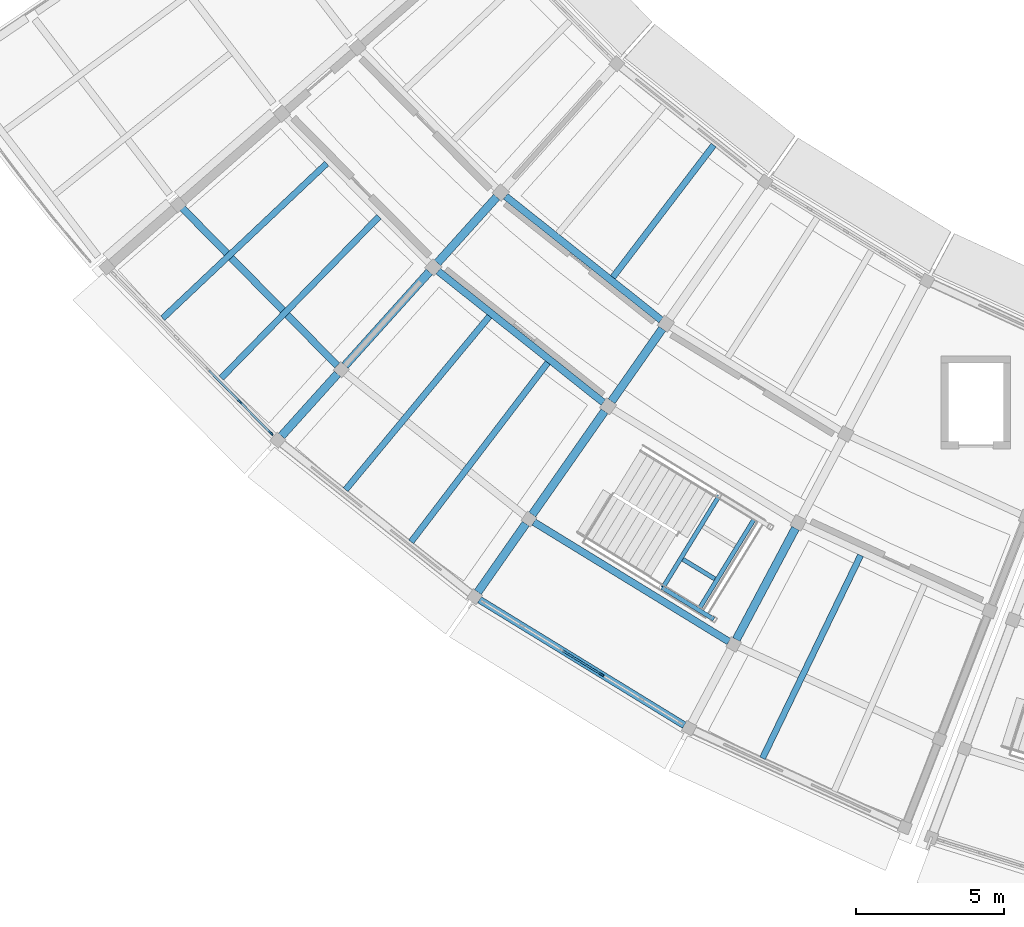
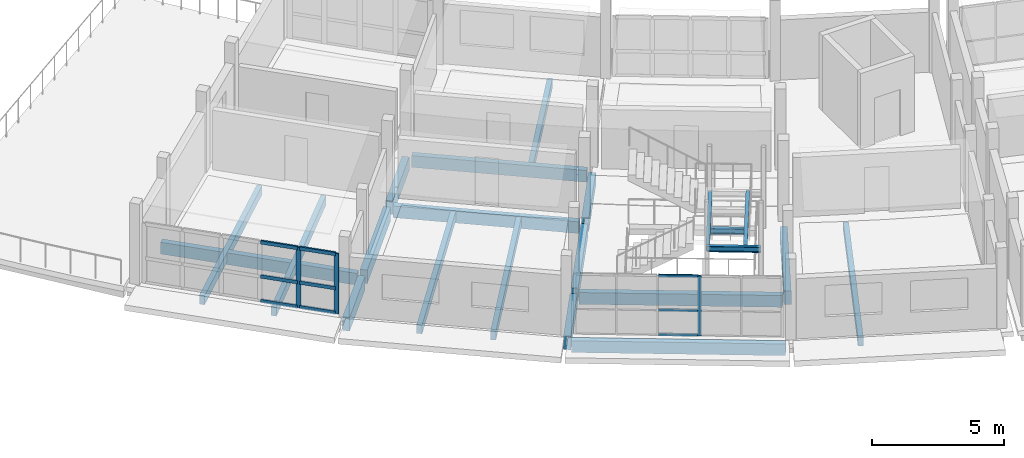
# One storey, part 18 of 66: 22 beams, 12 members, 2 elements without a shape of their own.
"""IFC4 building model written with IfcOpenShell, lengths in metres."""

from ifc_helpers import new_model, si_unit, direction, frame, origin, origin_2d, place, context, subcontext, project, spatial, rectangle, i_section, extrude, material, layer, layer_set, material_profile, profile_set, type_object, element, aggregate, save


model = new_model("IFC4")

# Units and contexts
model_context = context("Model", 3, precision=1e-05, world=origin(), true_north=direction((0.0, 1.0)))
body_context = subcontext(model_context, "Body", "Model", "MODEL_VIEW")
ifc_project = project(units=[si_unit("LENGTHUNIT", "METRE"), si_unit("AREAUNIT", "SQUARE_METRE"), si_unit("VOLUMEUNIT", "CUBIC_METRE"), si_unit("PLANEANGLEUNIT", "RADIAN"), si_unit("MASSUNIT", "GRAM", prefix="KILO")], contexts=[model_context])

# Site, building, storey
site_placement = place(None, origin())
site = spatial("IfcSite", under=ifc_project, at=site_placement, CompositionType="ELEMENT")
building_placement = place(site_placement, origin())
building = spatial("IfcBuilding", under=site, at=building_placement, Name="Caldaven Crescent School", CompositionType="ELEMENT")
storey_placement = place(building_placement, frame((0.0, 0.0, 8.159912109375)))
storey = spatial("IfcBuildingStorey", under=building, at=storey_placement, Name="L02", CompositionType="ELEMENT", Elevation=8.159912109375)

# Beams
ifc_material_1 = material(Name="Glulam MLE24h (GL28h)", Category="wood")
ifc_material_profile_1 = material_profile(ifc_material_1, rectangle(XDim=0.239990234375, YDim=0.5400390625, at=origin_2d()), Name="MLE 240x540")
ifc_profile_set_1 = profile_set([ifc_material_profile_1], Name="Glulam MLE24h (GL28h)")
beam_type_1 = type_object("IfcBeamType", Name="BM-GL54", PredefinedType="BEAM", material=ifc_profile_set_1)
beam_1_placement = place(storey_placement, frame((38.05810546875, 52.3349609375, -0.52001953125), z_axis=(0.700914055205, -0.713245741113, 0.0), x_axis=(0.713245741113, 0.700914055205, 0.0)))
element("IfcBeam", 1, at=beam_1_placement, inside=storey, type_object=beam_type_1, Name="BMT-V4W-L02-1171", PredefinedType="BEAM", context=body_context, shape_type="SweptSolid", body=[
    extrude(rectangle(XDim=0.239990234375, YDim=0.5400390625, at=origin_2d()), origin(), (0.0, 0.0, 1.0), 7.72119140625),
])
beam_2_placement = place(storey_placement, frame((49.150146484375, 52.547119140625, -0.52001953125), z_axis=(0.782609113445, -0.622513434034, 0.0), x_axis=(0.622513434034, 0.782609113445, 0.0)))
element("IfcBeam", 2, at=beam_2_placement, inside=storey, type_object=beam_type_1, Name="BMT-V4W-L02-1178", PredefinedType="BEAM", context=body_context, shape_type="SweptSolid", body=[
    extrude(rectangle(XDim=0.239990234375, YDim=0.5400390625, at=origin_2d()), origin(), (0.0, 0.0, 1.0), 6.708251953125),
])
beam_3_placement = place(storey_placement, frame((46.875, 50.020263671875, -0.52001953125), z_axis=(0.782621166449, -0.622498280982, 0.0), x_axis=(0.622498280982, 0.782621166449, 0.0)))
element("IfcBeam", 3, at=beam_3_placement, inside=storey, type_object=beam_type_1, Name="BMT-V4W-L02-1179", PredefinedType="BEAM", context=body_context, shape_type="SweptSolid", body=[
    extrude(rectangle(XDim=0.239990234375, YDim=0.5400390625, at=origin_2d()), origin(), (0.0, 0.0, 1.0), 7.12353515625),
])
beam_4_placement = place(storey_placement, frame((50.105224609375, 41.550048828125, -0.52001953125), z_axis=(0.852628517966, -0.522517569419, 0.0), x_axis=(0.522517569419, 0.852628517966, 0.0)))
element("IfcBeam", 4, at=beam_4_placement, inside=storey, type_object=beam_type_1, Name="BMT-V4W-L02-1189", PredefinedType="BEAM", context=body_context, shape_type="SweptSolid", body=[
    extrude(rectangle(XDim=0.239990234375, YDim=0.5400390625, at=origin_2d()), origin(), (0.0, 0.0, 1.0), 7.72119140625),
])
ifc_material_profile_2 = material_profile(ifc_material_1, rectangle(XDim=0.280029296875, YDim=0.6298828125, at=origin_2d()), Name="MLE 280x630")
ifc_profile_set_2 = profile_set([ifc_material_profile_2], Name="Glulam MLE24h (GL28h)")
beam_type_2 = type_object("IfcBeamType", Name="BM-GL63", PredefinedType="BEAM", material=ifc_profile_set_2)
beam_5_placement = place(storey_placement, frame((48.8525390625, 52.522216796875, -0.56494140625), z_axis=(-0.669149671668, -0.743127658554, 0.0), x_axis=(0.743127658554, -0.669149671668, 0.0)))
element("IfcBeam", 5, at=beam_5_placement, inside=storey, type_object=beam_type_2, Name="BMR-V4W-L02-1144", PredefinedType="BEAM", context=body_context, shape_type="SweptSolid", body=[
    extrude(rectangle(XDim=0.280029296875, YDim=0.6298828125, at=origin_2d()), origin(), (0.0, 0.0, 1.0), 2.989990234375),
])
beam_6_placement = place(storey_placement, frame((46.577392578125, 49.99560546875, -0.56494140625), z_axis=(-0.669129554921, -0.743145772195, 0.0), x_axis=(0.743145772195, -0.669129554921, 0.0)))
element("IfcBeam", 6, at=beam_6_placement, inside=storey, type_object=beam_type_2, Name="BMR-V4W-L02-1145", PredefinedType="BEAM", context=body_context, shape_type="SweptSolid", body=[
    extrude(rectangle(XDim=0.280029296875, YDim=0.6298828125, at=origin_2d()), origin(), (0.0, 0.0, 1.0), 4.255126953125),
])
beam_7_placement = place(storey_placement, frame((43.47607421875, 46.551025390625, -0.56494140625), z_axis=(-0.669170391326, -0.743109001003, 0.0), x_axis=(0.743109001003, -0.669170391326, 0.0)))
element("IfcBeam", 7, at=beam_7_placement, inside=storey, type_object=beam_type_2, Name="BMR-V4W-L02-1146", PredefinedType="BEAM", context=body_context, shape_type="SweptSolid", body=[
    extrude(rectangle(XDim=0.280029296875, YDim=0.6298828125, at=origin_2d()), origin(), (0.0, 0.0, 1.0), 2.81982421875),
])
beam_8_placement = place(storey_placement, frame((54.44287109375, 48.075439453125, -0.56494140625), z_axis=(-0.573550025111, -0.819170537004, 0.0), x_axis=(0.819170537004, -0.573550025111, 0.0)))
element("IfcBeam", 8, at=beam_8_placement, inside=storey, type_object=beam_type_2, Name="BMR-V4W-L02-1148", PredefinedType="BEAM", context=body_context, shape_type="SweptSolid", body=[
    extrude(rectangle(XDim=0.280029296875, YDim=0.6298828125, at=origin_2d()), origin(), (0.0, 0.0, 1.0), 2.989990234375),
])
beam_9_placement = place(storey_placement, frame((52.49267578125, 45.290283203125, -0.56494140625), z_axis=(-0.573570167525, -0.819156433732, 0.0), x_axis=(0.819156433732, -0.573570167525, 0.0)))
element("IfcBeam", 9, at=beam_9_placement, inside=storey, type_object=beam_type_2, Name="BMR-V4W-L02-1149", PredefinedType="BEAM", context=body_context, shape_type="SweptSolid", body=[
    extrude(rectangle(XDim=0.280029296875, YDim=0.6298828125, at=origin_2d()), origin(), (0.0, 0.0, 1.0), 4.2548828125),
])
beam_10_placement = place(storey_placement, frame((49.834228515625, 41.49365234375, -0.56494140625), z_axis=(-0.573555306454, -0.819166839196, 0.0), x_axis=(0.819166839196, -0.573555306454, 0.0)))
element("IfcBeam", 10, at=beam_10_placement, inside=storey, type_object=beam_type_2, Name="BMR-V4W-L02-1150", PredefinedType="BEAM", context=body_context, shape_type="SweptSolid", body=[
    extrude(rectangle(XDim=0.280029296875, YDim=0.6298828125, at=origin_2d()), origin(), (0.0, 0.0, 1.0), 2.820068359375),
])
beam_11_placement = place(storey_placement, frame((58.937255859375, 41.341064453125, -0.56494140625), z_axis=(-0.469474034945, -0.882946278384, 0.0), x_axis=(0.882946278384, -0.469474034945, 0.0)))
element("IfcBeam", 11, at=beam_11_placement, inside=storey, type_object=beam_type_2, Name="BMR-V4W-L02-1153", PredefinedType="BEAM", context=body_context, shape_type="SweptSolid", body=[
    extrude(rectangle(XDim=0.280029296875, YDim=0.6298828125, at=origin_2d()), origin(), (0.0, 0.0, 1.0), 4.2548828125),
])
ifc_material_2 = material(Name="Steel ASTM A572 Grade 50", Category="steel")
ifc_material_profile_3 = material_profile(ifc_material_2, i_section(OverallWidth=0.14599609375, OverallDepth=0.258056640625, WebThickness=0.006103515625, FlangeThickness=0.009033203125, FilletRadius=0.011962890625, at=origin_2d()), Name="W250x33")
ifc_profile_set_3 = profile_set([ifc_material_profile_3], Name="Steel ASTM A572 Grade 50")
beam_type_3 = type_object("IfcBeamType", Name="BM-W25", PredefinedType="BEAM", material=ifc_profile_set_3)
beam_12_placement = place(storey_placement, frame((54.428955078125, 39.341552734375, 1.546142578125), z_axis=(0.85267484111, -0.522441973177, 0.0), x_axis=(0.522441973177, 0.85267484111, 0.0)))
element("IfcBeam", 12, at=beam_12_placement, inside=storey, type_object=beam_type_3, Name="BM-STSIDE-ST1-L02-SL", PredefinedType="BEAM", context=body_context, shape_type="SweptSolid", body=[
    extrude(i_section(OverallWidth=0.14599609375, OverallDepth=0.258056640625, WebThickness=0.006103515625, FlangeThickness=0.009033203125, FilletRadius=0.011962890625, at=origin_2d()), origin(), (0.0, 0.0, 1.0), 2.050048828125),
])
for number, where, z_axis, x_axis, name in (
    (13, (54.45458984375, 39.325927734375, 1.546142578125), (0.522507309575, 0.852634805436, 0.0), (-0.852634805436, 0.522507309575, 0.0), "BM-STLND-ST1-L02-IN"),
    (14, (55.665283203125, 38.583984375, 1.546142578125), (0.522507309575, 0.852634805436, 0.0), (-0.852634805436, 0.522507309575, 0.0), "BM-STLND-ST1-L02-OUT"),
):
    element("IfcBeam", number, at=place(storey_placement, frame(where, z_axis=z_axis, x_axis=x_axis)), inside=storey, type_object=beam_type_3, Name=name, PredefinedType="BEAM", context=body_context, shape_type="SweptSolid", body=[
        extrude(i_section(OverallWidth=0.14599609375, OverallDepth=0.258056640625, WebThickness=0.006103515625, FlangeThickness=0.009033203125, FilletRadius=0.011962890625, at=origin_2d()), origin(), (0.0, 0.0, 1.0), 3.659912109375),
    ])

# Curtain wall, member
ifc_material_3 = material(Name="Anodised aluminium AA 6063-T6 and low-E double glazing", Category="aluminium")
ifc_layer_1 = layer(ifc_material_3, 0.2099609375)
ifc_layer_set_1 = layer_set([ifc_layer_1], Name="Anodised aluminium AA 6063-T6 and low-E double glazing")
curtain_wall_type_1 = type_object("IfcCurtainWallType", Name="CW-SYS3", PredefinedType="NOTDEFINED", material=ifc_layer_set_1)
curtain_wall_1_placement = place(storey_placement, origin())
curtain_wall_1 = element("IfcCurtainWall", 15, at=curtain_wall_1_placement, inside=storey, type_object=curtain_wall_type_1, Name="CW-L02-139", PredefinedType="NOTDEFINED")
ifc_material_4 = material(Name="Anodised aluminium AA 6063-T6", Category="aluminium")
ifc_material_profile_4 = material_profile(ifc_material_4, rectangle(XDim=0.06005859375, YDim=0.14990234375, at=origin_2d()), Name="CWM 60x150")
ifc_profile_set_4 = profile_set([ifc_material_profile_4], Name="Anodised aluminium AA 6063-T6")
member_type_1 = type_object("IfcMemberType", Name="CWM-T1", PredefinedType="MULLION", material=ifc_profile_set_4)
member_1_placement = place(storey_placement, frame((52.40087890625, 36.397216796875, 0.0), z_axis=(0.0, 0.0, 1.0), x_axis=(0.522499361435, 0.852639676124, 0.0)))
member_1 = element("IfcMember", 16, at=member_1_placement, type_object=member_type_1, Name="CW3 mullion 4", PredefinedType="MULLION", context=body_context, shape_type="SweptSolid", body=[
    extrude(rectangle(XDim=0.06005859375, YDim=0.14990234375, at=origin_2d()), origin(), (0.0, 0.0, 1.0), 2.780029296875),
])

# Curtain wall, members
ifc_layer_2 = layer(ifc_material_3, 0.169921875)
ifc_layer_set_2 = layer_set([ifc_layer_2], Name="Anodised aluminium AA 6063-T6 and low-E double glazing")
curtain_wall_type_2 = type_object("IfcCurtainWallType", Name="CW-SYS1", PredefinedType="NOTDEFINED", material=ifc_layer_set_2)
curtain_wall_2_placement = place(storey_placement, origin())
curtain_wall_2 = element("IfcCurtainWall", 17, at=curtain_wall_2_placement, inside=storey, type_object=curtain_wall_type_2, Name="CW-L02-137", PredefinedType="NOTDEFINED")
ifc_material_profile_5 = material_profile(ifc_material_4, rectangle(XDim=0.06494140625, YDim=0.179931640625, at=origin_2d()), Name="CWM 65x180")
ifc_profile_set_5 = profile_set([ifc_material_profile_5], Name="Anodised aluminium AA 6063-T6")
member_type_2 = type_object("IfcMemberType", Name="CWM-T2", PredefinedType="MULLION", material=ifc_profile_set_5)
member_2_placement = place(storey_placement, frame((40.1826171875, 45.61083984375, 0.0), z_axis=(0.0, 0.0, 1.0), x_axis=(0.711812124706, 0.702369916156, 0.0)))
member_2 = element("IfcMember", 18, at=member_2_placement, type_object=member_type_2, Name="CW1 mullion 5", PredefinedType="MULLION", context=body_context, shape_type="SweptSolid", body=[
    extrude(rectangle(XDim=0.06494140625, YDim=0.179931640625, at=origin_2d()), origin(), (0.0, 0.0, 1.0), 2.780029296875),
])
member_3_placement = place(storey_placement, frame((41.228515625, 44.551025390625, 0.0), z_axis=(0.0, 0.0, 1.0), x_axis=(0.711812124706, 0.702369916156, 0.0)))
member_3 = element("IfcMember", 19, at=member_3_placement, type_object=member_type_2, Name="CW1 mullion 6", PredefinedType="MULLION", context=body_context, shape_type="SweptSolid", body=[
    extrude(rectangle(XDim=0.06494140625, YDim=0.179931640625, at=origin_2d()), origin(), (0.0, 0.0, 1.0), 2.780029296875),
])

# Member
ifc_material_profile_6 = material_profile(ifc_material_4, rectangle(XDim=0.06005859375, YDim=0.1201171875, at=origin_2d()), Name="CWT 60x120")
ifc_profile_set_6 = profile_set([ifc_material_profile_6], Name="Anodised aluminium AA 6063-T6")
member_type_3 = type_object("IfcMemberType", Name="CWT-T1", PredefinedType="USERDEFINED", material=ifc_profile_set_6)
member_4_placement = place(storey_placement, frame((51.080810546875, 37.2060546875, 0.030029296875), z_axis=(0.852645163538, -0.522490406702, 0.0), x_axis=(0.522490406702, 0.852645163538, 0.0)))
member_4 = element("IfcMember", 20, at=member_4_placement, type_object=member_type_3, Name="CW3 transom 3.1", ObjectType="TRANSOM", PredefinedType="USERDEFINED", context=body_context, shape_type="SweptSolid", body=[
    extrude(rectangle(XDim=0.06005859375, YDim=0.1201171875, at=origin_2d()), origin(), (0.0, 0.0, 1.0), 1.51806640625),
])

member_5_placement = place(storey_placement, frame((51.080810546875, 37.2060546875, 1.16796875), z_axis=(0.852645163538, -0.522490406702, 0.0), x_axis=(0.522490406702, 0.852645163538, 0.0)))
member_5 = element("IfcMember", 21, at=member_5_placement, type_object=member_type_3, Name="CW3 transom 3.2", ObjectType="TRANSOM", PredefinedType="USERDEFINED", context=body_context, shape_type="SweptSolid", body=[
    extrude(rectangle(XDim=0.06005859375, YDim=0.1201171875, at=origin_2d()), origin(), (0.0, 0.0, 1.0), 1.51806640625),
])

member_6_placement = place(storey_placement, frame((51.080810546875, 37.2060546875, 2.75), z_axis=(0.852645163538, -0.522490406702, 0.0), x_axis=(0.522490406702, 0.852645163538, 0.0)))
member_6 = element("IfcMember", 22, at=member_6_placement, type_object=member_type_3, Name="CW3 transom 3.3", ObjectType="TRANSOM", PredefinedType="USERDEFINED", context=body_context, shape_type="SweptSolid", body=[
    extrude(rectangle(XDim=0.06005859375, YDim=0.1201171875, at=origin_2d()), origin(), (0.0, 0.0, 1.0), 1.51806640625),
])

aggregate(curtain_wall_1, [member_1, member_4, member_5, member_6])

ifc_material_profile_7 = material_profile(ifc_material_4, rectangle(XDim=0.070068359375, YDim=0.159912109375, at=origin_2d()), Name="CWT 70x160")
ifc_profile_set_7 = profile_set([ifc_material_profile_7], Name="Anodised aluminium AA 6063-T6")
member_type_4 = type_object("IfcMemberType", Name="CWT-T3", PredefinedType="USERDEFINED", material=ifc_profile_set_7)
member_7_placement = place(storey_placement, frame((39.13671875, 46.670654296875, 0.03515625), z_axis=(0.702482293152, -0.711701220884, 0.0), x_axis=(0.711701220884, 0.702482293152, 0.0)))
member_7 = element("IfcMember", 23, at=member_7_placement, type_object=member_type_4, Name="CW1 transom 4.1", ObjectType="TRANSOM", PredefinedType="USERDEFINED", context=body_context, shape_type="SweptSolid", body=[
    extrude(rectangle(XDim=0.070068359375, YDim=0.159912109375, at=origin_2d()), origin(), (0.0, 0.0, 1.0), 1.45654296875),
])

member_8_placement = place(storey_placement, frame((39.13671875, 46.670654296875, 1.16796875), z_axis=(0.702482293152, -0.711701220884, 0.0), x_axis=(0.711701220884, 0.702482293152, 0.0)))
member_8 = element("IfcMember", 24, at=member_8_placement, type_object=member_type_4, Name="CW1 transom 4.2", ObjectType="TRANSOM", PredefinedType="USERDEFINED", context=body_context, shape_type="SweptSolid", body=[
    extrude(rectangle(XDim=0.070068359375, YDim=0.159912109375, at=origin_2d()), origin(), (0.0, 0.0, 1.0), 1.45654296875),
])

member_9_placement = place(storey_placement, frame((39.13671875, 46.670654296875, 2.7451171875), z_axis=(0.702482293152, -0.711701220884, 0.0), x_axis=(0.711701220884, 0.702482293152, 0.0)))
member_9 = element("IfcMember", 25, at=member_9_placement, type_object=member_type_4, Name="CW1 transom 4.3", ObjectType="TRANSOM", PredefinedType="USERDEFINED", context=body_context, shape_type="SweptSolid", body=[
    extrude(rectangle(XDim=0.070068359375, YDim=0.159912109375, at=origin_2d()), origin(), (0.0, 0.0, 1.0), 1.45654296875),
])

member_10_placement = place(storey_placement, frame((40.20556640625, 45.587646484375, 0.03515625), z_axis=(0.702289675443, -0.711891292099, 0.0), x_axis=(0.711891292099, 0.702289675443, 0.0)))
member_10 = element("IfcMember", 26, at=member_10_placement, type_object=member_type_4, Name="CW1 transom 5.1", ObjectType="TRANSOM", PredefinedType="USERDEFINED", context=body_context, shape_type="SweptSolid", body=[
    extrude(rectangle(XDim=0.070068359375, YDim=0.159912109375, at=origin_2d()), origin(), (0.0, 0.0, 1.0), 1.423828125),
])

member_11_placement = place(storey_placement, frame((40.20556640625, 45.587646484375, 1.16796875), z_axis=(0.702289675443, -0.711891292099, 0.0), x_axis=(0.711891292099, 0.702289675443, 0.0)))
member_11 = element("IfcMember", 27, at=member_11_placement, type_object=member_type_4, Name="CW1 transom 5.2", ObjectType="TRANSOM", PredefinedType="USERDEFINED", context=body_context, shape_type="SweptSolid", body=[
    extrude(rectangle(XDim=0.070068359375, YDim=0.159912109375, at=origin_2d()), origin(), (0.0, 0.0, 1.0), 1.423828125),
])

member_12_placement = place(storey_placement, frame((40.20556640625, 45.587646484375, 2.7451171875), z_axis=(0.702289675443, -0.711891292099, 0.0), x_axis=(0.711891292099, 0.702289675443, 0.0)))
member_12 = element("IfcMember", 28, at=member_12_placement, type_object=member_type_4, Name="CW1 transom 5.3", ObjectType="TRANSOM", PredefinedType="USERDEFINED", context=body_context, shape_type="SweptSolid", body=[
    extrude(rectangle(XDim=0.070068359375, YDim=0.159912109375, at=origin_2d()), origin(), (0.0, 0.0, 1.0), 1.423828125),
])

aggregate(curtain_wall_2, [member_2, member_3, member_7, member_8, member_9, member_10, member_11, member_12])

# Beams
ifc_material_profile_8 = material_profile(ifc_material_1, rectangle(XDim=0.2099609375, YDim=0.419921875, at=origin_2d()), Name="MLE 210x420")
ifc_profile_set_8 = profile_set([ifc_material_profile_8], Name="Glulam MLE24h (GL28h)")
beam_type_4 = type_object("IfcBeamType", Name="JS-GL42", PredefinedType="JOIST", material=ifc_profile_set_8)
for number, where, z_axis, x_axis, name in (
    (29, (43.11083984375, 53.651123046875, -0.4599609375), (-0.727395768379, -0.686218184067, 0.0), (0.686218184067, -0.727395768379, 0.0), "JSR-V4W-L02-1174"),
    (30, (44.874267578125, 51.856689453125, -0.4599609375), (-0.698826608349, -0.715291109593, 0.0), (0.715291109593, -0.698826608349, 0.0), "JSR-V4W-L02-1176"),
):
    element("IfcBeam", number, at=place(storey_placement, frame(where, z_axis=z_axis, x_axis=x_axis)), inside=storey, type_object=beam_type_4, Name=name, PredefinedType="JOIST", context=body_context, shape_type="SweptSolid", body=[
        extrude(rectangle(XDim=0.2099609375, YDim=0.419921875, at=origin_2d()), origin(), (0.0, 0.0, 1.0), 7.60693359375),
    ])
beam_13_placement = place(storey_placement, frame((48.6064453125, 48.496337890625, -0.4599609375), z_axis=(-0.638316852849, -0.769773729981, 0.0), x_axis=(0.769773729981, -0.638316852849, 0.0)))
element("IfcBeam", 31, at=beam_13_placement, inside=storey, type_object=beam_type_4, Name="JSR-V4W-L02-1183", PredefinedType="JOIST", context=body_context, shape_type="SweptSolid", body=[
    extrude(rectangle(XDim=0.2099609375, YDim=0.419921875, at=origin_2d()), origin(), (0.0, 0.0, 1.0), 7.607177734375),
])
beam_14_placement = place(storey_placement, frame((56.175537109375, 54.27294921875, -0.4599609375), z_axis=(-0.606441715074, -0.795127943301, 0.0), x_axis=(0.795127943301, -0.606441715074, 0.0)))
element("IfcBeam", 32, at=beam_14_placement, inside=storey, type_object=beam_type_4, Name="JSR-V4W-L02-1184", PredefinedType="JOIST", context=body_context, shape_type="SweptSolid", body=[
    extrude(rectangle(XDim=0.2099609375, YDim=0.419921875, at=origin_2d()), origin(), (0.0, 0.0, 1.0), 5.6103515625),
])
beam_15_placement = place(storey_placement, frame((50.575439453125, 46.93017578125, -0.4599609375), z_axis=(-0.606445392969, -0.795125138168, 0.0), x_axis=(0.795125138168, -0.606445392969, 0.0)))
element("IfcBeam", 33, at=beam_15_placement, inside=storey, type_object=beam_type_4, Name="JSR-V4W-L02-1185", PredefinedType="JOIST", context=body_context, shape_type="SweptSolid", body=[
    extrude(rectangle(XDim=0.2099609375, YDim=0.419921875, at=origin_2d()), origin(), (0.0, 0.0, 1.0), 7.607177734375),
])
beam_16_placement = place(storey_placement, frame((61.136474609375, 40.428466796875, -0.4599609375), z_axis=(-0.435211145562, -0.900328417178, 0.0), x_axis=(0.900328417178, -0.435211145562, 0.0)))
element("IfcBeam", 34, at=beam_16_placement, inside=storey, type_object=beam_type_4, Name="JSR-V4W-L02-1198", PredefinedType="JOIST", context=body_context, shape_type="SweptSolid", body=[
    extrude(rectangle(XDim=0.2099609375, YDim=0.419921875, at=origin_2d()), origin(), (0.0, 0.0, 1.0), 7.6083984375),
])
ifc_material_profile_9 = material_profile(ifc_material_2, i_section(OverallWidth=0.14599609375, OverallDepth=0.258056640625, WebThickness=0.006103515625, FlangeThickness=0.009033203125, FilletRadius=0.011962890625, at=origin_2d()), Name="W250x33")
ifc_profile_set_9 = profile_set([ifc_material_profile_9], Name="Steel ASTM A572 Grade 50")
beam_type_5 = type_object("IfcBeamType", Name="LN-W25", PredefinedType="LINTEL", material=ifc_profile_set_9)
beam_17_placement = place(storey_placement, frame((55.139404296875, 40.290283203125, 1.546142578125), z_axis=(0.852581757702, -0.522593863755, 0.0), x_axis=(0.522593863755, 0.852581757702, 0.0)))
element("IfcBeam", 35, at=beam_17_placement, inside=storey, type_object=beam_type_5, Name="BM-STJST-ST1-L02-JL", PredefinedType="LINTEL", context=body_context, shape_type="SweptSolid", body=[
    extrude(i_section(OverallWidth=0.14599609375, OverallDepth=0.258056640625, WebThickness=0.006103515625, FlangeThickness=0.009033203125, FilletRadius=0.011962890625, at=origin_2d()), origin(), (0.0, 0.0, 1.0), 1.260009765625),
])
ifc_material_profile_10 = material_profile(ifc_material_1, rectangle(XDim=0.239990234375, YDim=0.5400390625, at=origin_2d()), Name="MLE 240x540")
ifc_profile_set_10 = profile_set([ifc_material_profile_10], Name="Glulam MLE24h (GL28h)")
beam_type_6 = type_object("IfcBeamType", Name="SP-GL54", PredefinedType="SPANDREL", material=ifc_profile_set_10)
beam_18_placement = place(storey_placement, frame((48.269775390625, 38.9287109375, -0.52001953125), z_axis=(0.852635422245, -0.522506303056, 0.0), x_axis=(0.522506303056, 0.852635422245, 0.0)))
element("IfcBeam", 36, at=beam_18_placement, inside=storey, type_object=beam_type_6, Name="BMT-V4W-L02-1190", PredefinedType="SPANDREL", context=body_context, shape_type="SweptSolid", body=[
    extrude(rectangle(XDim=0.239990234375, YDim=0.5400390625, at=origin_2d()), origin(), (0.0, 0.0, 1.0), 8.11181640625),
])

save(model, "model.ifc")
